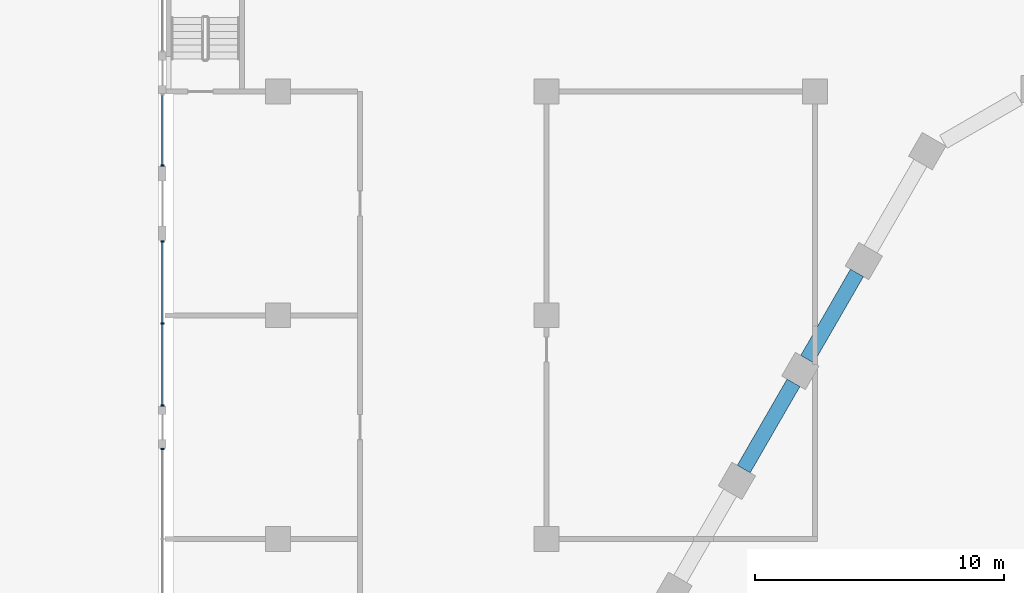
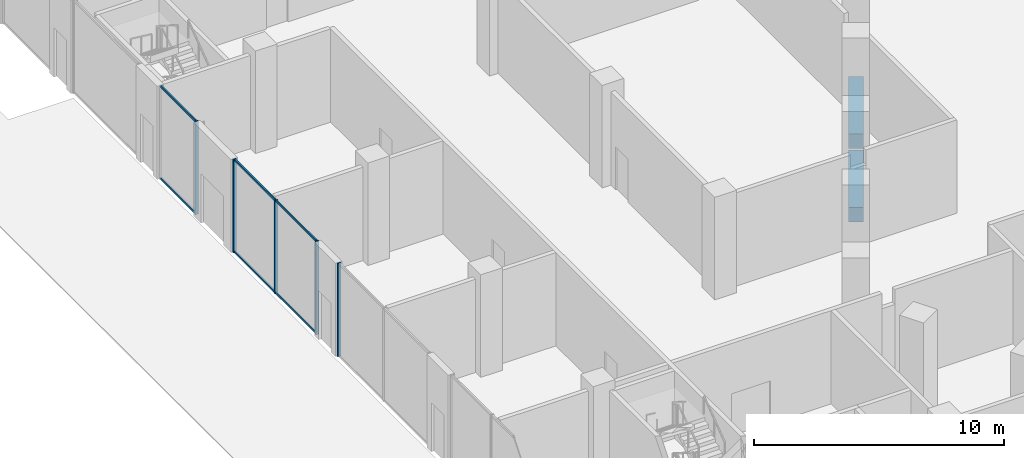
# One storey, part 10 of 57: 11 members, 2 beams, 3 elements without a shape of their own.
"""IFC4 building model written with IfcOpenShell, lengths in metres."""

from ifc_helpers import new_model, si_unit, direction, frame, origin, origin_2d, place, context, subcontext, project, spatial, rectangle, hollow_rectangle, extrude, material, material_profile, profile_set, type_object, element, aggregate, save


model = new_model("IFC4")

# Units and contexts
model_context = context("Model", 3, precision=1e-05, world=origin(), true_north=direction((0.0, 1.0)))
body_context = subcontext(model_context, "Body", "Model", "MODEL_VIEW")
ifc_project = project(units=[si_unit("LENGTHUNIT", "METRE"), si_unit("AREAUNIT", "SQUARE_METRE"), si_unit("VOLUMEUNIT", "CUBIC_METRE"), si_unit("PLANEANGLEUNIT", "RADIAN"), si_unit("MASSUNIT", "GRAM", prefix="KILO")], contexts=[model_context])

# Site, building, storey
site_placement = place(None, origin())
site = spatial("IfcSite", under=ifc_project, at=site_placement, CompositionType="ELEMENT")
building_placement = place(site_placement, origin())
building = spatial("IfcBuilding", under=site, at=building_placement, Name="Beryl Residences", CompositionType="ELEMENT")
storey_placement = place(building_placement, origin())
storey = spatial("IfcBuildingStorey", under=building, at=storey_placement, Name="L00", CompositionType="ELEMENT", Elevation=0.0)

# Curtain wall, member
ifc_material_1 = material(Name="Aluminium and clear glass", Category="aluminium")
curtain_wall_type = type_object("IfcCurtainWallType", Name="CW1 shopfront glazed wall", PredefinedType="NOTDEFINED", material=ifc_material_1)
curtain_wall_1_placement = place(storey_placement, origin())
curtain_wall_1 = element("IfcCurtainWall", 1, at=curtain_wall_1_placement, inside=storey, type_object=curtain_wall_type, Name="CW1 L00 W", PredefinedType="NOTDEFINED")
ifc_material_2 = material(Name="Aluminium", Category="aluminium")
ifc_material_profile_1 = material_profile(ifc_material_2, rectangle(XDim=0.06005859375, YDim=0.14990234375, at=origin_2d()))
ifc_profile_set_1 = profile_set([ifc_material_profile_1], Name="Aluminium")
member_type_1 = type_object("IfcMemberType", Name="CW1-M mullion 60 x 150 mm", PredefinedType="MULLION", material=ifc_profile_set_1)
member_1_placement = place(storey_placement, frame((-47.85009765625, 24.030029296875, 0.0), z_axis=(0.0, 0.0, 1.0), x_axis=(0.0, -1.0, 0.0)))
member_1 = element("IfcMember", 2, at=member_1_placement, type_object=member_type_1, Name="CW1 mullion 2", PredefinedType="MULLION", context=body_context, shape_type="SweptSolid", body=[
    extrude(rectangle(XDim=0.06005859375, YDim=0.14990234375, at=origin_2d()), origin(), (0.0, 0.0, 1.0), 4.550048828125),
])

# Curtain wall, members
curtain_wall_2_placement = place(storey_placement, origin())
curtain_wall_2 = element("IfcCurtainWall", 3, at=curtain_wall_2_placement, inside=storey, type_object=curtain_wall_type, Name="CW1 L00 W", PredefinedType="NOTDEFINED")
member_2_placement = place(storey_placement, frame((-47.85009765625, 20.969970703125, 0.0), z_axis=(0.0, 0.0, 1.0), x_axis=(0.0, -1.0, 0.0)))
member_2 = element("IfcMember", 4, at=member_2_placement, type_object=member_type_1, Name="CW1 mullion 1", PredefinedType="MULLION", context=body_context, shape_type="SweptSolid", body=[
    extrude(rectangle(XDim=0.06005859375, YDim=0.14990234375, at=origin_2d()), origin(), (0.0, 0.0, 1.0), 4.550048828125),
])
member_3_placement = place(storey_placement, frame((-47.85009765625, 17.675048828125, 0.0), z_axis=(0.0, 0.0, 1.0), x_axis=(0.0, -1.0, 0.0)))
member_3 = element("IfcMember", 5, at=member_3_placement, type_object=member_type_1, Name="CW1 mullion 2", PredefinedType="MULLION", context=body_context, shape_type="SweptSolid", body=[
    extrude(rectangle(XDim=0.06005859375, YDim=0.14990234375, at=origin_2d()), origin(), (0.0, 0.0, 1.0), 4.550048828125),
])
member_4_placement = place(storey_placement, frame((-47.85009765625, 14.3798828125, 0.0), z_axis=(0.0, 0.0, 1.0), x_axis=(0.0, -1.0, 0.0)))
member_4 = element("IfcMember", 6, at=member_4_placement, type_object=member_type_1, Name="CW1 mullion 3", PredefinedType="MULLION", context=body_context, shape_type="SweptSolid", body=[
    extrude(rectangle(XDim=0.06005859375, YDim=0.14990234375, at=origin_2d()), origin(), (0.0, 0.0, 1.0), 4.550048828125),
])

# Curtain wall, member
curtain_wall_3_placement = place(storey_placement, origin())
curtain_wall_3 = element("IfcCurtainWall", 7, at=curtain_wall_3_placement, inside=storey, type_object=curtain_wall_type, Name="CW1 L00 W", PredefinedType="NOTDEFINED")
member_5_placement = place(storey_placement, frame((-47.85009765625, 12.6201171875, 0.0), z_axis=(0.0, 0.0, 1.0), x_axis=(0.0, -1.0, 0.0)))
member_5 = element("IfcMember", 8, at=member_5_placement, type_object=member_type_1, Name="CW1 mullion 1", PredefinedType="MULLION", context=body_context, shape_type="SweptSolid", body=[
    extrude(rectangle(XDim=0.06005859375, YDim=0.14990234375, at=origin_2d()), origin(), (0.0, 0.0, 1.0), 4.550048828125),
])
aggregate(curtain_wall_3, [member_5])

# Member
ifc_material_3 = material(Name="Aluminium", Category="aluminium")
ifc_material_profile_2 = material_profile(ifc_material_3, hollow_rectangle(XDim=0.06005859375, YDim=0.10009765625, WallThickness=0.00390625, at=origin_2d()))
ifc_profile_set_2 = profile_set([ifc_material_profile_2], Name="Aluminium")
member_type_2 = type_object("IfcMemberType", Name="CW1-T transom 60 x 100 mm", PredefinedType="USERDEFINED", material=ifc_profile_set_2)
member_6_placement = place(storey_placement, frame((-47.85009765625, 26.840087890625, 0.030029296875), z_axis=(0.0, -1.0, 0.0), x_axis=(1.0, 0.0, 0.0)))
member_6 = element("IfcMember", 9, at=member_6_placement, type_object=member_type_2, Name="CW1 transom 1.1", ObjectType="TRANSOM", PredefinedType="USERDEFINED", context=body_context, shape_type="SweptSolid", body=[
    extrude(hollow_rectangle(XDim=0.06005859375, YDim=0.10009765625, WallThickness=0.00390625, at=origin_2d()), origin(), (0.0, 0.0, 1.0), 2.780029296875),
])

member_7_placement = place(storey_placement, frame((-47.85009765625, 26.840087890625, 4.52001953125), z_axis=(0.0, -1.0, 0.0), x_axis=(1.0, 0.0, 0.0)))
member_7 = element("IfcMember", 10, at=member_7_placement, type_object=member_type_2, Name="CW1 transom 1.2", ObjectType="TRANSOM", PredefinedType="USERDEFINED", context=body_context, shape_type="SweptSolid", body=[
    extrude(hollow_rectangle(XDim=0.06005859375, YDim=0.10009765625, WallThickness=0.00390625, at=origin_2d()), origin(), (0.0, 0.0, 1.0), 2.780029296875),
])

aggregate(curtain_wall_1, [member_1, member_6, member_7])

member_8_placement = place(storey_placement, frame((-47.85009765625, 20.93994140625, 0.030029296875), z_axis=(0.0, -1.0, 0.0), x_axis=(1.0, 0.0, 0.0)))
member_8 = element("IfcMember", 11, at=member_8_placement, type_object=member_type_2, Name="CW1 transom 1.1", ObjectType="TRANSOM", PredefinedType="USERDEFINED", context=body_context, shape_type="SweptSolid", body=[
    extrude(hollow_rectangle(XDim=0.06005859375, YDim=0.10009765625, WallThickness=0.00390625, at=origin_2d()), origin(), (0.0, 0.0, 1.0), 3.23486328125),
])

member_9_placement = place(storey_placement, frame((-47.85009765625, 20.93994140625, 4.52001953125), z_axis=(0.0, -1.0, 0.0), x_axis=(1.0, 0.0, 0.0)))
member_9 = element("IfcMember", 12, at=member_9_placement, type_object=member_type_2, Name="CW1 transom 1.2", ObjectType="TRANSOM", PredefinedType="USERDEFINED", context=body_context, shape_type="SweptSolid", body=[
    extrude(hollow_rectangle(XDim=0.06005859375, YDim=0.10009765625, WallThickness=0.00390625, at=origin_2d()), origin(), (0.0, 0.0, 1.0), 3.23486328125),
])

member_10_placement = place(storey_placement, frame((-47.85009765625, 17.64501953125, 0.030029296875), z_axis=(0.0, -1.0, 0.0), x_axis=(1.0, 0.0, 0.0)))
member_10 = element("IfcMember", 13, at=member_10_placement, type_object=member_type_2, Name="CW1 transom 2.1", ObjectType="TRANSOM", PredefinedType="USERDEFINED", context=body_context, shape_type="SweptSolid", body=[
    extrude(hollow_rectangle(XDim=0.06005859375, YDim=0.10009765625, WallThickness=0.00390625, at=origin_2d()), origin(), (0.0, 0.0, 1.0), 3.235107421875),
])

member_11_placement = place(storey_placement, frame((-47.85009765625, 17.64501953125, 4.52001953125), z_axis=(0.0, -1.0, 0.0), x_axis=(1.0, 0.0, 0.0)))
member_11 = element("IfcMember", 14, at=member_11_placement, type_object=member_type_2, Name="CW1 transom 2.2", ObjectType="TRANSOM", PredefinedType="USERDEFINED", context=body_context, shape_type="SweptSolid", body=[
    extrude(hollow_rectangle(XDim=0.06005859375, YDim=0.10009765625, WallThickness=0.00390625, at=origin_2d()), origin(), (0.0, 0.0, 1.0), 3.235107421875),
])

aggregate(curtain_wall_2, [member_2, member_3, member_4, member_8, member_9, member_10, member_11])

# Beams
ifc_material_4 = material(Name="Concrete C80/95", Category="concrete")
ifc_material_profile_3 = material_profile(ifc_material_4, rectangle(XDim=0.60009765625, YDim=0.699951171875, at=origin_2d()))
ifc_profile_set_3 = profile_set([ifc_material_profile_3], Name="Concrete C80/95")
beam_type = type_object("IfcBeamType", Name="SB1 spandrel beam 600 x 700 C80/95", PredefinedType="SPANDREL", material=ifc_profile_set_3)
beam_1_placement = place(storey_placement, frame((-19.9169921875, 19.7041015625, -0.800048828125), z_axis=(-0.499836783367, -0.866119616446, 0.0), x_axis=(0.866119616446, -0.499836783367, 0.0)))
element("IfcBeam", 15, at=beam_1_placement, inside=storey, type_object=beam_type, Name="SB1 L00 NW-1", PredefinedType="SPANDREL", context=body_context, shape_type="SweptSolid", body=[
    extrude(rectangle(XDim=0.60009765625, YDim=0.699951171875, at=origin_2d()), origin(), (0.0, 0.0, 1.0), 4.005126953125),
])
beam_2_placement = place(storey_placement, frame((-22.468994140625, 15.282958984375, -0.800048828125), z_axis=(-0.499942357345, -0.866058681229, 0.0), x_axis=(0.866058681229, -0.499942357345, 0.0)))
element("IfcBeam", 16, at=beam_2_placement, inside=storey, type_object=beam_type, Name="SB1 L00 NW-2", PredefinedType="SPANDREL", context=body_context, shape_type="SweptSolid", body=[
    extrude(rectangle(XDim=0.60009765625, YDim=0.699951171875, at=origin_2d()), origin(), (0.0, 0.0, 1.0), 4.00439453125),
])

save(model, "model.ifc")
